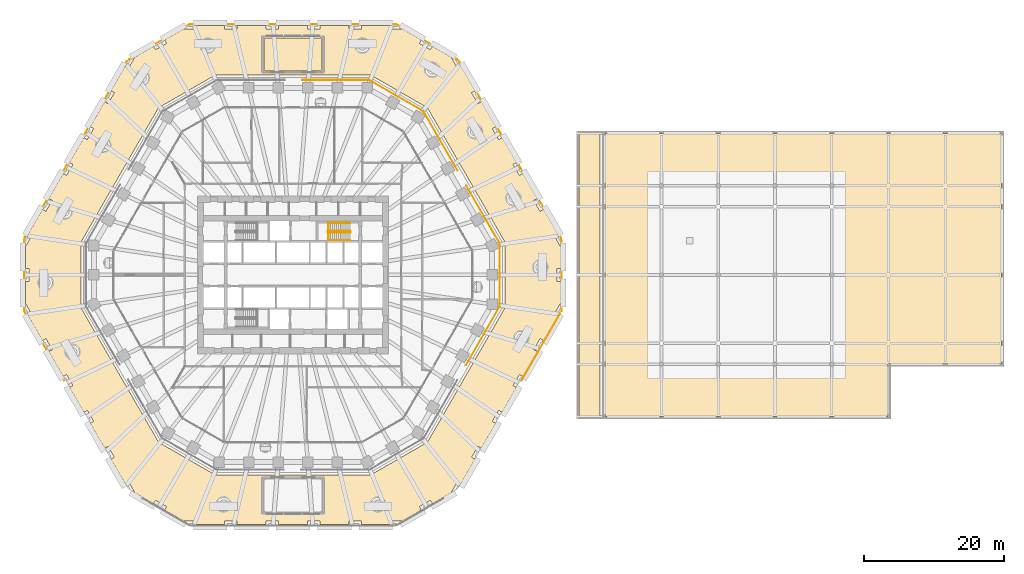
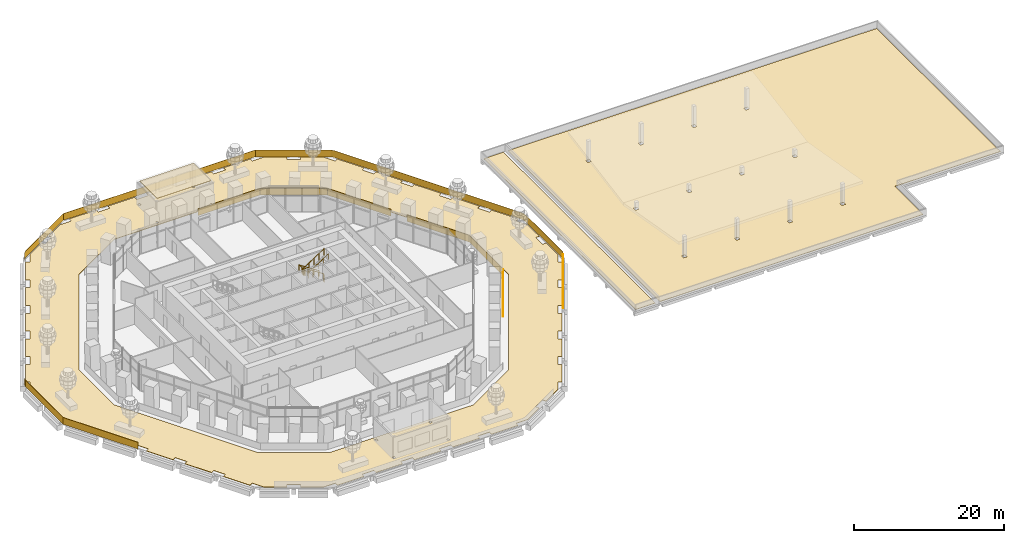
# One storey, part 29 of 32: 7 railings, 4 coverings.
"""IFC4 building model written with IfcOpenShell, lengths in metres."""

from ifc_helpers import new_model, si_unit, direction, frame, origin, origin_2d, place, context, subcontext, project, spatial, polyline, rectangle, circle, outline, extrude, material, layer, layer_set, type_object, element, save


model = new_model("IFC4")

# Units and contexts
model_context = context("Model", 3, precision=1e-05, world=origin(), true_north=direction((0.0, 1.0)))
body_context = subcontext(model_context, "Body", "Model", "MODEL_VIEW")
ifc_project = project(units=[si_unit("LENGTHUNIT", "METRE"), si_unit("AREAUNIT", "SQUARE_METRE"), si_unit("VOLUMEUNIT", "CUBIC_METRE"), si_unit("PLANEANGLEUNIT", "RADIAN"), si_unit("MASSUNIT", "GRAM", prefix="KILO")], contexts=[model_context])

# Site, building, storey
site_placement = place(None, origin())
site = spatial("IfcSite", under=ifc_project, at=site_placement, CompositionType="ELEMENT")
building_placement = place(site_placement, origin())
building = spatial("IfcBuilding", under=site, at=building_placement, Name="Frailejon Research Tower", CompositionType="ELEMENT")
storey_placement = place(building_placement, frame((0.0, 0.0, 14.60009765625)))
storey = spatial("IfcBuildingStorey", under=building, at=storey_placement, Name="L03", CompositionType="ELEMENT", Elevation=14.60009765625)

# Railings
ifc_material_1 = material(Name="Laminated glass balustrade", Category="glass")
railing_type_1 = type_object("IfcRailingType", Name="Glass guard 1100", PredefinedType="GUARDRAIL", material=ifc_material_1)
railing_1_placement = place(storey_placement, frame((38.369140625, -5.142578125, 0.02978515625)))
element("IfcRailing", 1, at=railing_1_placement, inside=storey, type_object=railing_type_1, Name="Garden deck guard L03 1", PredefinedType="GUARDRAIL", context=body_context, shape_type="SweptSolid", body=[
    extrude(rectangle(XDim=10.0, YDim=0.030029296875, at=origin_2d()), frame((0.0, 5.0, 0.0), z_axis=(0.0, 0.0, 1.0), x_axis=(0.0, 1.0, 0.0)), (0.0, 0.0, 1.0), 1.10009765625),
    extrude(rectangle(XDim=0.4833984375, YDim=0.030029296875, at=origin_2d()), frame((-0.0537109375, 10.235595703125, 0.0), z_axis=(0.0, 0.0, 1.0), x_axis=(-0.222276091184, 0.974983763602, 0.0)), (0.0, 0.0, 1.0), 1.10009765625),
    extrude(rectangle(XDim=29.0, YDim=0.030029296875, at=origin_2d()), frame((-7.357421875, 23.028564453125, 0.0), z_axis=(0.0, 0.0, 1.0), x_axis=(-0.499999859883, 0.866025484681, 0.0)), (0.0, 0.0, 1.0), 1.10009765625),
    extrude(rectangle(XDim=0.48291015625, YDim=0.030029296875, at=origin_2d()), frame((-14.77880859375, 35.75634765625, 0.0), z_axis=(0.0, 0.0, 1.0), x_axis=(-0.709125631859, 0.705082149995, 0.0)), (0.0, 0.0, 1.0), 1.10009765625),
    extrude(rectangle(XDim=10.0, YDim=0.030029296875, at=origin_2d()), frame((-19.280029296875, 38.426513671875, 0.0), z_axis=(0.0, 0.0, 1.0), x_axis=(-0.866022959057, 0.500004234368, 0.0)), (0.0, 0.0, 1.0), 1.10009765625),
    extrude(rectangle(XDim=0.49609375, YDim=0.030029296875, at=origin_2d()), frame((-23.85791015625, 40.9345703125, 0.0), z_axis=(0.0, 0.0, 1.0), x_axis=(-0.999472412824, 0.032479162603, 0.0)), (0.0, 0.0, 1.0), 1.10009765625),
    extrude(rectangle(XDim=28.9990234375, YDim=0.030029296875, at=origin_2d()), frame((-38.60546875, 40.941162109375, 0.0), z_axis=(0.0, 0.0, 1.0), x_axis=(-0.999999994897, -0.000101027108, 0.0)), (0.0, 0.0, 1.0), 1.10009765625),
    extrude(rectangle(XDim=10.000244140625, YDim=0.030029296875, at=origin_2d()), frame((-57.43505859375, 38.439697265625, 0.0), z_axis=(0.0, 0.0, 1.0), x_axis=(-0.866029062534, -0.499993662806, 0.0)), (0.0, 0.0, 1.0), 1.10009765625),
    extrude(rectangle(XDim=0.483154296875, YDim=0.030029296875, at=origin_2d()), frame((-61.94140625, 35.7744140625, 0.0), z_axis=(0.0, 0.0, 1.0), x_axis=(-0.728985566968, -0.684529066696, 0.0)), (0.0, 0.0, 1.0), 1.10009765625),
    extrude(rectangle(XDim=28.999755859375, YDim=0.030029296875, at=origin_2d()), frame((-69.36767578125, 23.0517578125, 0.0), z_axis=(0.0, 0.0, 1.0), x_axis=(-0.500003505283, -0.866023379999, 0.0)), (0.0, 0.0, 1.0), 1.10009765625),
    extrude(rectangle(XDim=0.483154296875, YDim=0.030029296875, at=origin_2d()), frame((-76.677978515625, 10.260498046875, 0.0), z_axis=(0.0, 0.0, 1.0), x_axis=(-0.24966402223, -0.968332523467, 0.0)), (0.0, 0.0, 1.0), 1.10009765625),
    extrude(rectangle(XDim=10.0, YDim=0.030029296875, at=origin_2d()), frame((-76.73828125, 5.026611328125, 0.0), z_axis=(0.0, 0.0, 1.0), x_axis=(0.0, -1.0, 0.0)), (0.0, 0.0, 1.0), 1.10009765625),
    extrude(rectangle(XDim=0.49658203125, YDim=0.030029296875, at=origin_2d()), frame((-76.6201171875, -0.191650390625, 0.0), z_axis=(0.0, 0.0, 1.0), x_axis=(0.476473223764, -0.879188982549, 0.0)), (0.0, 0.0, 1.0), 1.10009765625),
    extrude(rectangle(XDim=11.0, YDim=0.030029296875, at=origin_2d()), frame((-73.751708984375, -5.173095703125, 0.0), z_axis=(0.0, 0.0, 1.0), x_axis=(0.499996545922, -0.866027397988, 0.0)), (0.0, 0.0, 1.0), 1.10009765625),
])
railing_2_placement = place(storey_placement, frame((32.627685546875, -15.087158203125, 0.02978515625)))
element("IfcRailing", 2, at=railing_2_placement, inside=storey, type_object=railing_type_1, Name="Garden deck guard L03 3", PredefinedType="GUARDRAIL", context=body_context, shape_type="SweptSolid", body=[
    extrude(rectangle(XDim=11.0, YDim=0.030029296875, at=origin_2d()), frame((2.75, 4.76318359375, 0.0), z_axis=(0.0, 0.0, 1.0), x_axis=(0.499996545922, 0.866027397988, 0.0)), (0.0, 0.0, 1.0), 1.10009765625),
])
railing_3_placement = place(storey_placement, frame((29.53369140625, -4.48779296875, 0.0)))
element("IfcRailing", 3, at=railing_3_placement, inside=storey, type_object=railing_type_1, Name="Loggia guard L03 1", PredefinedType="GUARDRAIL", context=body_context, shape_type="SweptSolid", body=[
    extrude(rectangle(XDim=8.75, YDim=0.030029296875, at=origin_2d()), frame((0.0, 4.375, 0.0), z_axis=(0.0, 0.0, 1.0), x_axis=(0.0, 1.0, 0.0)), (0.0, 0.0, 1.0), 1.10009765625),
    extrude(rectangle(XDim=0.246826171875, YDim=0.030029296875, at=origin_2d()), frame((-0.006103515625, 8.873291015625, 0.0), z_axis=(0.0, 0.0, 1.0), x_axis=(-0.049444399883, 0.998776877646, 0.0)), (0.0, 0.0, 1.0), 1.10009765625),
    extrude(rectangle(XDim=9.5, YDim=0.030029296875, at=origin_2d()), frame((-2.38720703125, 13.1103515625, 0.0), z_axis=(0.0, 0.0, 1.0), x_axis=(-0.499997557548, 0.86602681393, 0.0)), (0.0, 0.0, 1.0), 1.10009765625),
])
railing_4_placement = place(storey_placement, frame((23.521484375, 14.901123046875, 0.0)))
element("IfcRailing", 4, at=railing_4_placement, inside=storey, type_object=railing_type_1, Name="Loggia guard L03 2", PredefinedType="GUARDRAIL", context=body_context, shape_type="SweptSolid", body=[
    extrude(rectangle(XDim=9.748291015625, YDim=0.030029296875, at=origin_2d()), frame((-2.43994140625, 4.21923828125, 0.0), z_axis=(0.0, 0.0, 1.0), x_axis=(-0.500617623248, 0.865668525068, 0.0)), (0.0, 0.0, 1.0), 1.10009765625),
    extrude(rectangle(XDim=8.75, YDim=0.030029296875, at=origin_2d()), frame((-8.6689453125, 10.626220703125, 0.0), z_axis=(0.0, 0.0, 1.0), x_axis=(-0.866022959057, 0.500004234368, 0.0)), (0.0, 0.0, 1.0), 1.10009765625),
    extrude(rectangle(XDim=0.24560546875, YDim=0.030029296875, at=origin_2d()), frame((-12.568603515625, 12.86669921875, 0.0), z_axis=(0.0, 0.0, 1.0), x_axis=(-0.902235090762, 0.431244525761, 0.0)), (0.0, 0.0, 1.0), 1.10009765625),
    extrude(rectangle(XDim=9.5, YDim=0.030029296875, at=origin_2d()), frame((-17.429443359375, 12.919677734375, 0.0), z_axis=(0.0, 0.0, 1.0), x_axis=(-1.0, 0.0, 0.0)), (0.0, 0.0, 1.0), 1.10009765625),
])
railing_5_placement = place(storey_placement, frame((24.7001953125, -12.859619140625, 0.0)))
element("IfcRailing", 5, at=railing_5_placement, inside=storey, type_object=railing_type_1, Name="Loggia guard L03 7", PredefinedType="GUARDRAIL", context=body_context, shape_type="SweptSolid", body=[
    extrude(rectangle(XDim=9.5, YDim=0.030029296875, at=origin_2d()), frame((2.375, 4.11376953125, 0.0), z_axis=(0.0, 0.0, 1.0), x_axis=(0.499997557548, 0.86602681393, 0.0)), (0.0, 0.0, 1.0), 1.10009765625),
])

# Coverings
ifc_material_2 = material(Name="Bituminous roofing membrane with gravel ballast")
ifc_layer = layer(ifc_material_2, 0.06005859375)
ifc_layer_set = layer_set([ifc_layer], Name="Roofing membrane and ballast 60")
covering_type = type_object("IfcCoveringType", Name="Roofing membrane and ballast 60", PredefinedType="ROOFING", material=ifc_layer_set)
covering_1_placement = place(storey_placement, origin())
element("IfcCovering", 6, at=covering_1_placement, inside=storey, type_object=covering_type, Name="Roofing Garden deck slab", PredefinedType="ROOFING", context=body_context, shape_type="SweptSolid", body=[
    extrude(outline(polyline([(-38.21923828125, -3.99853515625), (-37.337158203125, -5.5263671875), (-37.815185546875, -5.80224609375), (-35.76025390625, -9.361572265625), (-35.2822265625, -9.085693359375), (-34.380126953125, -10.647705078125), (-34.858154296875, -10.923828125), (-32.80322265625, -14.483154296875), (-32.3251953125, -14.20703125), (-31.42333984375, -15.769287109375), (-31.9013671875, -16.04541015625), (-29.846435546875, -19.6044921875), (-29.368408203125, -19.32861328125), (-28.46630859375, -20.890869140625), (-28.9443359375, -21.1669921875), (-26.889404296875, -24.726318359375), (-26.411376953125, -24.4501953125), (-25.509521484375, -26.01220703125), (-25.9873046875, -26.288330078125), (-23.9326171875, -29.84765625), (-23.45458984375, -29.57177734375), (-22.572265625, -31.099609375), (-19.890625, -32.647705078125), (-19.614501953125, -32.169921875), (-18.052490234375, -33.07177734375), (-18.32861328125, -33.5498046875), (-15.64697265625, -35.097900390625), (-13.882568359375, -35.097900390625), (-13.882568359375, -35.64990234375), (-9.772705078125, -35.64990234375), (-9.772705078125, -35.097900390625), (-7.96875, -35.097900390625), (-7.96875, -35.64990234375), (-3.85888671875, -35.64990234375), (-3.85888671875, -35.097900390625), (-2.054931640625, -35.097900390625), (-2.054931640625, -35.64990234375), (2.054931640625, -35.64990234375), (2.054931640625, -35.097900390625), (3.85888671875, -35.097900390625), (3.85888671875, -35.64990234375), (7.96875, -35.64990234375), (7.96875, -35.097900390625), (9.772705078125, -35.097900390625), (9.772705078125, -35.64990234375), (13.882568359375, -35.64990234375), (13.882568359375, -35.097900390625), (15.64697265625, -35.097900390625), (18.32861328125, -33.5498046875), (18.052490234375, -33.07177734375), (19.614501953125, -32.169921875), (19.890625, -32.647705078125), (22.572265625, -31.099609375), (23.45458984375, -29.57177734375), (23.9326171875, -29.84765625), (25.9873046875, -26.288330078125), (25.509521484375, -26.01220703125), (26.411376953125, -24.4501953125), (26.889404296875, -24.726318359375), (28.9443359375, -21.1669921875), (28.46630859375, -20.890869140625), (29.368408203125, -19.32861328125), (29.846435546875, -19.6044921875), (31.9013671875, -16.04541015625), (31.42333984375, -15.769287109375), (32.3251953125, -14.20703125), (32.80322265625, -14.483154296875), (34.858154296875, -10.923828125), (34.380126953125, -10.647705078125), (35.2822265625, -9.085693359375), (35.76025390625, -9.361572265625), (37.815185546875, -5.80224609375), (37.337158203125, -5.5263671875), (38.21923828125, -3.99853515625), (38.21923828125, -0.902099609375), (37.667236328125, -0.902099609375), (37.667236328125, 0.902099609375), (38.21923828125, 0.902099609375), (38.21923828125, 3.99853515625), (37.337158203125, 5.5263671875), (37.815185546875, 5.80224609375), (35.76025390625, 9.361572265625), (35.2822265625, 9.085693359375), (34.380126953125, 10.647705078125), (34.858154296875, 10.923828125), (32.80322265625, 14.483154296875), (32.3251953125, 14.20703125), (31.42333984375, 15.769287109375), (31.9013671875, 16.04541015625), (29.846435546875, 19.6044921875), (29.368408203125, 19.32861328125), (28.46630859375, 20.890869140625), (28.9443359375, 21.1669921875), (26.889404296875, 24.726318359375), (26.411376953125, 24.4501953125), (25.509521484375, 26.01220703125), (25.9873046875, 26.288330078125), (23.9326171875, 29.84765625), (23.45458984375, 29.57177734375), (22.572265625, 31.099609375), (19.890625, 32.647705078125), (19.614501953125, 32.169921875), (18.052490234375, 33.07177734375), (18.32861328125, 33.5498046875), (15.64697265625, 35.097900390625), (13.882568359375, 35.097900390625), (13.882568359375, 35.64990234375), (9.772705078125, 35.64990234375), (9.772705078125, 35.097900390625), (7.96875, 35.097900390625), (7.96875, 35.64990234375), (3.85888671875, 35.64990234375), (3.85888671875, 35.097900390625), (2.054931640625, 35.097900390625), (2.054931640625, 35.64990234375), (-2.054931640625, 35.64990234375), (-2.054931640625, 35.097900390625), (-3.85888671875, 35.097900390625), (-3.85888671875, 35.64990234375), (-7.96875, 35.64990234375), (-7.96875, 35.097900390625), (-9.772705078125, 35.097900390625), (-9.772705078125, 35.64990234375), (-13.882568359375, 35.64990234375), (-13.882568359375, 35.097900390625), (-15.64697265625, 35.097900390625), (-18.32861328125, 33.5498046875), (-18.052490234375, 33.07177734375), (-19.614501953125, 32.169921875), (-19.890625, 32.647705078125), (-22.572265625, 31.099609375), (-23.45458984375, 29.57177734375), (-23.9326171875, 29.84765625), (-25.9873046875, 26.288330078125), (-25.509521484375, 26.01220703125), (-26.411376953125, 24.4501953125), (-26.889404296875, 24.726318359375), (-28.9443359375, 21.1669921875), (-28.46630859375, 20.890869140625), (-29.368408203125, 19.32861328125), (-29.846435546875, 19.6044921875), (-31.9013671875, 16.04541015625), (-31.42333984375, 15.769287109375), (-32.3251953125, 14.20703125), (-32.80322265625, 14.483154296875), (-34.858154296875, 10.923828125), (-34.380126953125, 10.647705078125), (-35.2822265625, 9.085693359375), (-35.76025390625, 9.361572265625), (-37.815185546875, 5.80224609375), (-37.337158203125, 5.5263671875), (-38.21923828125, 3.99853515625), (-38.21923828125, 0.902099609375), (-37.667236328125, 0.902099609375), (-37.667236328125, -0.902099609375), (-38.21923828125, -0.902099609375), (-38.21923828125, -3.99853515625)]), holes=[polyline([(-19.188720703125, 23.8681640625), (-11.076171875, 28.552001953125), (11.076171875, 28.552001953125), (19.188720703125, 23.8681640625), (30.264892578125, 4.683837890625), (30.264892578125, -4.683837890625), (19.188720703125, -23.8681640625), (11.076171875, -28.552001953125), (-11.076171875, -28.552001953125), (-19.188720703125, -23.8681640625), (-30.264892578125, -4.683837890625), (-30.264892578125, 4.683837890625), (-19.188720703125, 23.8681640625)]), polyline([(4.31005859375, 34.010009765625), (4.31005859375, 33.68994140625), (3.989990234375, 33.68994140625), (3.989990234375, 34.010009765625), (4.31005859375, 34.010009765625)]), polyline([(4.31005859375, 29.31005859375), (4.31005859375, 28.989990234375), (3.989990234375, 28.989990234375), (3.989990234375, 29.31005859375), (4.31005859375, 29.31005859375)]), polyline([(4.31005859375, -28.989990234375), (4.31005859375, -29.31005859375), (3.989990234375, -29.31005859375), (3.989990234375, -28.989990234375), (4.31005859375, -28.989990234375)]), polyline([(4.31005859375, -33.68994140625), (4.31005859375, -34.010009765625), (3.989990234375, -34.010009765625), (3.989990234375, -33.68994140625), (4.31005859375, -33.68994140625)]), polyline([(-3.989990234375, 34.010009765625), (-3.989990234375, 33.68994140625), (-4.31005859375, 33.68994140625), (-4.31005859375, 34.010009765625), (-3.989990234375, 34.010009765625)]), polyline([(-3.989990234375, 29.31005859375), (-3.989990234375, 28.989990234375), (-4.31005859375, 28.989990234375), (-4.31005859375, 29.31005859375), (-3.989990234375, 29.31005859375)]), polyline([(-3.989990234375, -28.989990234375), (-3.989990234375, -29.31005859375), (-4.31005859375, -29.31005859375), (-4.31005859375, -28.989990234375), (-3.989990234375, -28.989990234375)]), polyline([(-4.31005859375, -33.68994140625), (-3.989990234375, -33.68994140625), (-3.989990234375, -34.010009765625), (-4.31005859375, -34.010009765625), (-4.31005859375, -33.68994140625)])]), origin(), (0.0, 0.0, 1.0), 0.059814453125),
])
covering_2_placement = place(storey_placement, frame((0.0, 0.0, 3.849853515625)))
element("IfcCovering", 7, at=covering_2_placement, inside=storey, type_object=covering_type, Name="Roofing Garden pavilion roof L03", PredefinedType="ROOFING", context=body_context, shape_type="SweptSolid", body=[
    extrude(outline(polyline([(4.14990234375, 29.14990234375), (4.14990234375, 33.85009765625), (-4.14990234375, 33.85009765625), (-4.14990234375, 29.14990234375), (4.14990234375, 29.14990234375)])), origin(), (0.0, 0.0, 1.0), 0.06005859375),
])
covering_3_placement = place(storey_placement, origin())
element("IfcCovering", 8, at=covering_3_placement, inside=storey, type_object=covering_type, Name="Roofing HC roof slab", PredefinedType="ROOFING", context=body_context, shape_type="SweptSolid", body=[
    extrude(outline(polyline([(84.949951171875, -20.199951171875), (84.949951171875, -12.699951171875), (101.14990234375, -12.699951171875), (101.14990234375, 20.199951171875), (44.550048828125, 20.199951171875), (44.550048828125, -20.199951171875), (84.949951171875, -20.199951171875)]), holes=[polyline([(77.159912109375, 13.010009765625), (77.159912109375, 12.489990234375), (76.639892578125, 12.489990234375), (76.639892578125, 13.010009765625), (77.159912109375, 13.010009765625)]), polyline([(77.159912109375, 0.260009765625), (77.159912109375, -0.260009765625), (76.639892578125, -0.260009765625), (76.639892578125, 0.260009765625), (77.159912109375, 0.260009765625)]), polyline([(77.159912109375, -12.489990234375), (77.159912109375, -13.010009765625), (76.639892578125, -13.010009765625), (76.639892578125, -12.489990234375), (77.159912109375, -12.489990234375)]), polyline([(69.06005859375, 13.010009765625), (69.06005859375, 12.489990234375), (68.5400390625, 12.489990234375), (68.5400390625, 13.010009765625), (69.06005859375, 13.010009765625)]), polyline([(69.06005859375, 0.260009765625), (69.06005859375, -0.260009765625), (68.5400390625, -0.260009765625), (68.5400390625, 0.260009765625), (69.06005859375, 0.260009765625)]), polyline([(69.06005859375, -12.489990234375), (69.06005859375, -13.010009765625), (68.5400390625, -13.010009765625), (68.5400390625, -12.489990234375), (69.06005859375, -12.489990234375)]), polyline([(60.9599609375, 13.010009765625), (60.9599609375, 12.489990234375), (60.43994140625, 12.489990234375), (60.43994140625, 13.010009765625), (60.9599609375, 13.010009765625)]), polyline([(60.9599609375, 0.260009765625), (60.9599609375, -0.260009765625), (60.43994140625, -0.260009765625), (60.43994140625, 0.260009765625), (60.9599609375, 0.260009765625)]), polyline([(60.9599609375, -12.489990234375), (60.9599609375, -13.010009765625), (60.43994140625, -13.010009765625), (60.43994140625, -12.489990234375), (60.9599609375, -12.489990234375)]), polyline([(52.860107421875, 13.010009765625), (52.860107421875, 12.489990234375), (52.340087890625, 12.489990234375), (52.340087890625, 13.010009765625), (52.860107421875, 13.010009765625)]), polyline([(52.860107421875, 0.260009765625), (52.860107421875, -0.260009765625), (52.340087890625, -0.260009765625), (52.340087890625, 0.260009765625), (52.860107421875, 0.260009765625)]), polyline([(52.860107421875, -12.489990234375), (52.860107421875, -13.010009765625), (52.340087890625, -13.010009765625), (52.340087890625, -12.489990234375), (52.860107421875, -12.489990234375)])]), origin(), (0.0, 0.0, 1.0), 0.059814453125),
])
covering_4_placement = place(storey_placement, origin())
element("IfcCovering", 9, at=covering_4_placement, inside=storey, type_object=covering_type, Name="Roofing HC movement joint canopy roof", PredefinedType="ROOFING", context=body_context, shape_type="SweptSolid", body=[
    extrude(outline(polyline([(43.85009765625, -20.199951171875), (43.85009765625, 20.199951171875), (40.85009765625, 20.199951171875), (40.85009765625, -20.199951171875), (43.85009765625, -20.199951171875)])), origin(), (0.0, 0.0, 1.0), 0.059814453125),
])

# Railings
ifc_material_3 = material(Name="Stainless steel", Category="steel")
railing_type_2 = type_object("IfcRailingType", Name="Stair guard 1100", PredefinedType="GUARDRAIL", material=ifc_material_3)
railing_6_placement = place(storey_placement, frame((8.199951171875, 6.10009765625, 0.0)))
element("IfcRailing", 10, at=railing_6_placement, inside=storey, type_object=railing_type_2, Name="L03 ST3 stair guard 1", PredefinedType="GUARDRAIL", context=body_context, shape_type="SweptSolid", body=[
    extrude(circle(Radius=0.02392578125, at=origin_2d()), frame((0.0, 0.0, 1.076171875), z_axis=(0.0, 1.0, 0.0), x_axis=(-1.0, 0.0, 0.0)), (0.0, 0.0, 1.0), 0.14990234375),
    extrude(circle(Radius=0.02392578125, at=origin_2d()), frame((0.0, 0.14990234375, 1.076171875), z_axis=(-0.254653276557, 0.254653276557, 0.932900539971), x_axis=(-0.707106781187, -0.707106781187, 0.0)), (0.0, 0.0, 1.0), 0.196533203125),
    extrude(circle(Radius=0.02392578125, at=origin_2d()), frame((-0.050048828125, 0.199951171875, 1.25927734375), z_axis=(-0.836613101238, 0.0, 0.547794230379), x_axis=(0.0, -1.0, 0.0)), (0.0, 0.0, 1.0), 3.681396484375),
    extrude(circle(Radius=0.02392578125, at=origin_2d()), frame((-3.1298828125, 0.199951171875, 3.27587890625), z_axis=(-0.707106781187, -0.707106781187, 0.0), x_axis=(0.707106781187, -0.707106781187, 0.0)), (0.0, 0.0, 1.0), 0.07080078125),
    extrude(circle(Radius=0.02392578125, at=origin_2d()), frame((-3.179931640625, 0.14990234375, 3.27587890625), z_axis=(0.0, -1.0, 0.0), x_axis=(1.0, 0.0, 0.0)), (0.0, 0.0, 1.0), 0.14990234375),
    extrude(circle(Radius=0.02392578125, at=origin_2d()), frame((-3.179931640625, 0.0, 3.27587890625), z_axis=(0.254653276557, -0.254653276557, 0.932900539971), x_axis=(0.707106781187, 0.707106781187, 0.0)), (0.0, 0.0, 1.0), 0.196533203125),
    extrude(circle(Radius=0.02392578125, at=origin_2d()), frame((-3.1298828125, -0.050048828125, 3.45947265625), z_axis=(0.836613101238, 0.0, 0.547794230379), x_axis=(0.0, 1.0, 0.0)), (0.0, 0.0, 1.0), 3.681396484375),
    extrude(circle(Radius=0.02099609375, at=origin_2d()), origin(), (0.0, 0.0, 1.0), 1.052001953125),
    extrude(circle(Radius=0.02099609375, at=origin_2d()), frame((0.0, 0.14990234375, 0.0)), (0.0, 0.0, 1.0), 1.052001953125),
    extrude(circle(Radius=0.02099609375, at=origin_2d()), frame((-0.050048828125, 0.199951171875, 0.183349609375)), (0.0, 0.0, 1.0), 1.052001953125),
    extrude(circle(Radius=0.02099609375, at=origin_2d()), frame((-0.820068359375, 0.199951171875, 0.6875)), (0.0, 0.0, 1.0), 1.052001953125),
    extrude(circle(Radius=0.02099609375, at=origin_2d()), frame((-1.58984375, 0.199951171875, 1.191650390625)), (0.0, 0.0, 1.0), 1.052001953125),
    extrude(circle(Radius=0.02099609375, at=origin_2d()), frame((-2.35986328125, 0.199951171875, 1.69580078125)), (0.0, 0.0, 1.0), 1.052001953125),
    extrude(circle(Radius=0.02099609375, at=origin_2d()), frame((-3.1298828125, 0.199951171875, 2.199951171875)), (0.0, 0.0, 1.0), 1.052001953125),
    extrude(circle(Radius=0.02099609375, at=origin_2d()), frame((-3.179931640625, 0.14990234375, 2.199951171875)), (0.0, 0.0, 1.0), 1.052001953125),
    extrude(circle(Radius=0.02099609375, at=origin_2d()), frame((-3.179931640625, 0.0, 2.199951171875)), (0.0, 0.0, 1.0), 1.052001953125),
    extrude(circle(Radius=0.02099609375, at=origin_2d()), frame((-3.1298828125, -0.050048828125, 2.38330078125)), (0.0, 0.0, 1.0), 1.052001953125),
    extrude(circle(Radius=0.02099609375, at=origin_2d()), frame((-2.35986328125, -0.050048828125, 2.887451171875)), (0.0, 0.0, 1.0), 1.052001953125),
    extrude(circle(Radius=0.02099609375, at=origin_2d()), frame((-1.58984375, -0.050048828125, 3.3916015625)), (0.0, 0.0, 1.0), 1.052001953125),
    extrude(circle(Radius=0.02099609375, at=origin_2d()), frame((-0.820068359375, -0.050048828125, 3.895751953125)), (0.0, 0.0, 1.0), 1.052001953125),
    extrude(circle(Radius=0.02099609375, at=origin_2d()), frame((-0.050048828125, -0.050048828125, 4.39990234375)), (0.0, 0.0, 1.0), 1.052001953125),
])
ifc_material_4 = material(Name="Stainless steel", Category="steel")
railing_type_3 = type_object("IfcRailingType", Name="Stair handrail 900", PredefinedType="HANDRAIL", material=ifc_material_4)
railing_7_placement = place(storey_placement, frame((8.14990234375, 7.39990234375, 0.183349609375)))
element("IfcRailing", 11, at=railing_7_placement, inside=storey, type_object=railing_type_3, Name="L03 ST3 stair handrail 1", PredefinedType="HANDRAIL", context=body_context, shape_type="SweptSolid", body=[
    extrude(circle(Radius=0.02392578125, at=origin_2d()), frame((0.0, 0.0, 0.8759765625), z_axis=(-0.836613101238, 0.0, 0.547794230379), x_axis=(0.0, -1.0, 0.0)), (0.0, 0.0, 1.0), 3.681396484375),
    extrude(circle(Radius=0.02392578125, at=origin_2d()), frame((-3.079833984375, 0.0, 2.892578125), z_axis=(0.0, -0.99721134034, 0.074629368868), x_axis=(1.0, 0.0, 0.0)), (0.0, 0.0, 1.0), 2.456787109375),
    extrude(circle(Radius=0.02392578125, at=origin_2d()), frame((-3.079833984375, -2.449951171875, 3.07568359375), z_axis=(0.836613101238, 0.0, 0.547794230379), x_axis=(0.0, 1.0, 0.0)), (0.0, 0.0, 1.0), 3.681396484375),
    extrude(circle(Radius=0.02099609375, at=origin_2d()), origin(), (0.0, 0.0, 1.0), 0.851806640625),
    extrude(circle(Radius=0.02099609375, at=origin_2d()), frame((-0.77001953125, 0.0, 0.504150390625)), (0.0, 0.0, 1.0), 0.851806640625),
    extrude(circle(Radius=0.02099609375, at=origin_2d()), frame((-1.5400390625, 0.0, 1.00830078125)), (0.0, 0.0, 1.0), 0.851806640625),
    extrude(circle(Radius=0.02099609375, at=origin_2d()), frame((-2.309814453125, 0.0, 1.512451171875)), (0.0, 0.0, 1.0), 0.851806640625),
    extrude(circle(Radius=0.02099609375, at=origin_2d()), frame((-3.079833984375, 0.0, 2.0166015625)), (0.0, 0.0, 1.0), 0.851806640625),
    extrude(circle(Radius=0.02099609375, at=origin_2d()), frame((-3.079833984375, -0.816650390625, 2.07763671875)), (0.0, 0.0, 1.0), 0.851806640625),
    extrude(circle(Radius=0.02099609375, at=origin_2d()), frame((-3.079833984375, -1.63330078125, 2.138916015625)), (0.0, 0.0, 1.0), 0.851806640625),
    extrude(circle(Radius=0.02099609375, at=origin_2d()), frame((-3.079833984375, -2.449951171875, 2.199951171875)), (0.0, 0.0, 1.0), 0.851806640625),
    extrude(circle(Radius=0.02099609375, at=origin_2d()), frame((-2.309814453125, -2.449951171875, 2.7041015625)), (0.0, 0.0, 1.0), 0.851806640625),
    extrude(circle(Radius=0.02099609375, at=origin_2d()), frame((-1.5400390625, -2.449951171875, 3.208251953125)), (0.0, 0.0, 1.0), 0.851806640625),
    extrude(circle(Radius=0.02099609375, at=origin_2d()), frame((-0.77001953125, -2.449951171875, 3.71240234375)), (0.0, 0.0, 1.0), 0.851806640625),
    extrude(circle(Radius=0.02099609375, at=origin_2d()), frame((0.0, -2.449951171875, 4.216552734375)), (0.0, 0.0, 1.0), 0.851806640625),
])

save(model, "model.ifc")
